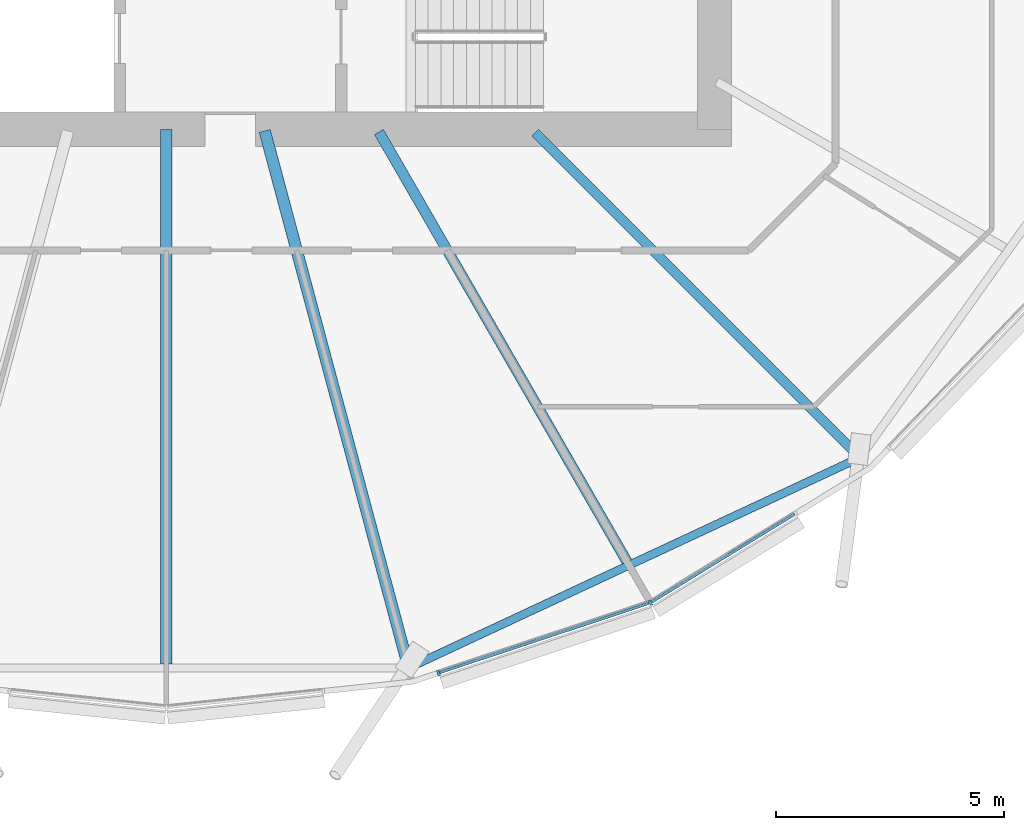
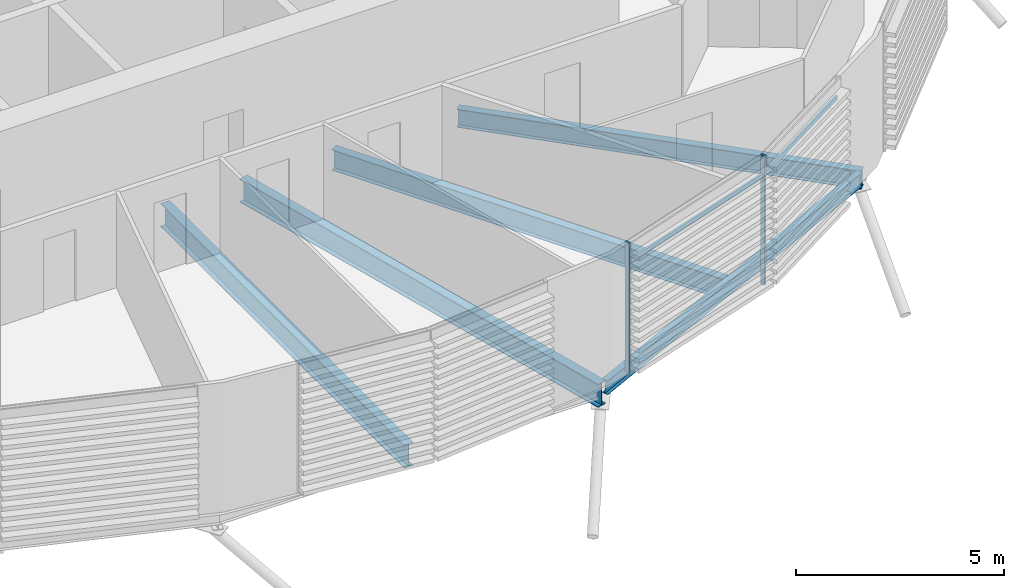
# One storey, part 4 of 38: 5 beams, 4 members, 1 element without a shape of its own.
"""IFC4 building model written with IfcOpenShell, lengths in metres."""

from ifc_helpers import new_model, si_unit, direction, frame, origin, origin_2d, place, context, subcontext, project, spatial, rectangle, i_section, extrude, material, material_profile, profile_set, type_object, element, aggregate, save


model = new_model("IFC4")

# Units and contexts
model_context = context("Model", 3, precision=1e-05, world=origin(), true_north=direction((0.0, 1.0)))
body_context = subcontext(model_context, "Body", "Model", "MODEL_VIEW")
ifc_project = project(units=[si_unit("LENGTHUNIT", "METRE"), si_unit("AREAUNIT", "SQUARE_METRE"), si_unit("VOLUMEUNIT", "CUBIC_METRE"), si_unit("PLANEANGLEUNIT", "RADIAN"), si_unit("MASSUNIT", "GRAM", prefix="KILO")], contexts=[model_context])

# Site, building, storey
site_placement = place(None, origin())
site = spatial("IfcSite", under=ifc_project, at=site_placement, CompositionType="ELEMENT")
building_placement = place(site_placement, origin())
building = spatial("IfcBuilding", under=site, at=building_placement, Name="Rimbun Link Towers", CompositionType="ELEMENT")
storey_placement = place(building_placement, frame((0.0, 0.0, 123.39990234375)))
storey = spatial("IfcBuildingStorey", under=building, at=storey_placement, Name="L30", CompositionType="ELEMENT", Elevation=123.39990234375)

# Curtain wall, members
ifc_material_1 = material(Name="Aluminium 6063-T6 and low-iron glass", Category="aluminium")
curtain_wall_type = type_object("IfcCurtainWallType", Name="CW1-Z2 unitised vision wall (zone 2)", PredefinedType="NOTDEFINED", material=ifc_material_1)
curtain_wall_placement = place(storey_placement, origin())
curtain_wall = element("IfcCurtainWall", 1, at=curtain_wall_placement, inside=storey, type_object=curtain_wall_type, Name="CW1 L30 T1", PredefinedType="NOTDEFINED")
ifc_material_2 = material(Name="Aluminium 6063-T6", Category="aluminium")
ifc_material_profile_1 = material_profile(ifc_material_2, rectangle(XDim=0.1201171875, YDim=0.06005859375, at=origin_2d()), Name="MULLION 60X120")
ifc_profile_set_1 = profile_set([ifc_material_profile_1], Name="Aluminium 6063-T6")
member_type_1 = type_object("IfcMemberType", Name="CW1 mullion 60X120", PredefinedType="MULLION", material=ifc_profile_set_1)
member_1_placement = place(storey_placement, frame((-21.15380859375, -18.364013671875, 0.0), z_axis=(0.0, 0.0, 1.0), x_axis=(0.421704717158, -0.9067332196, 0.0)))
member_1 = element("IfcMember", 2, at=member_1_placement, type_object=member_type_1, Name="CW1 mullion", PredefinedType="MULLION", context=body_context, shape_type="SweptSolid", body=[
    extrude(rectangle(XDim=0.1201171875, YDim=0.06005859375, at=origin_2d()), origin(), (0.0, 0.0, 1.0), 3.800048828125),
])
member_2_placement = place(storey_placement, frame((-25.793701171875, -19.90185546875, 0.0), z_axis=(0.0, 0.0, 1.0), x_axis=(0.314563424855, -0.949236457235, 0.0)))
member_2 = element("IfcMember", 3, at=member_2_placement, type_object=member_type_1, Name="CW1 mullion", PredefinedType="MULLION", context=body_context, shape_type="SweptSolid", body=[
    extrude(rectangle(XDim=0.1201171875, YDim=0.06005859375, at=origin_2d()), origin(), (0.0, 0.0, 1.0), 3.800048828125),
])
ifc_material_3 = material(Name="Aluminium 6063-T6", Category="aluminium")
ifc_material_profile_2 = material_profile(ifc_material_3, rectangle(XDim=0.06005859375, YDim=0.1201171875, at=origin_2d()), Name="TRANSOM 60X120")
ifc_profile_set_2 = profile_set([ifc_material_profile_2], Name="Aluminium 6063-T6")
member_type_2 = type_object("IfcMemberType", Name="CW1 transom 60X120", PredefinedType="USERDEFINED", material=ifc_profile_set_2)
member_3_placement = place(storey_placement, frame((-21.189208984375, -18.3740234375, 3.2001953125), z_axis=(-0.94923382133, -0.314571378933, 0.0), x_axis=(0.314571378933, -0.94923382133, 0.0)))
member_3 = element("IfcMember", 4, at=member_3_placement, type_object=member_type_2, Name="CW1 transom", ObjectType="TRANSOM", PredefinedType="USERDEFINED", context=body_context, shape_type="SweptSolid", body=[
    extrude(rectangle(XDim=0.06005859375, YDim=0.1201171875, at=origin_2d()), origin(), (0.0, 0.0, 1.0), 4.8212890625),
])
member_4_placement = place(storey_placement, frame((-17.998779296875, -16.4248046875, 3.2001953125), z_axis=(-0.852165495326, -0.523272365576, 0.0), x_axis=(0.523272365576, -0.852165495326, 0.0)))
member_4 = element("IfcMember", 5, at=member_4_placement, type_object=member_type_2, Name="CW1 transom", ObjectType="TRANSOM", PredefinedType="USERDEFINED", context=body_context, shape_type="SweptSolid", body=[
    extrude(rectangle(XDim=0.06005859375, YDim=0.1201171875, at=origin_2d()), origin(), (0.0, 0.0, 1.0), 3.666259765625),
])
aggregate(curtain_wall, [member_1, member_2, member_3, member_4])

# Beams
ifc_material_4 = material(Name="Steel S355J2", Category="steel")
ifc_material_profile_3 = material_profile(ifc_material_4, i_section(OverallWidth=0.177978515625, OverallDepth=0.406494140625, WebThickness=0.0078125, FlangeThickness=0.0126953125, at=origin_2d()), Name="UB 406x178x60")
ifc_profile_set_3 = profile_set([ifc_material_profile_3], Name="Steel S355J2")
beam_type_1 = type_object("IfcBeamType", Name="UB 406x178x60", PredefinedType="BEAM", material=ifc_profile_set_3)
beam_1_placement = place(storey_placement, frame((-26.329833984375, -19.734375, -0.363037109375), z_axis=(0.906387823698, 0.422446580116, 0.0), x_axis=(-0.422446580116, 0.906387823698, 0.0)))
element("IfcBeam", 6, at=beam_1_placement, inside=storey, type_object=beam_type_1, Name="Edge beam T1 L30 19-21", PredefinedType="BEAM", context=body_context, shape_type="SweptSolid", body=[
    extrude(i_section(OverallWidth=0.177978515625, OverallDepth=0.406494140625, WebThickness=0.0078125, FlangeThickness=0.0126953125, at=origin_2d()), origin(), (0.0, 0.0, 1.0), 10.65966796875),
])
ifc_material_5 = material(Name="Steel S355J2", Category="steel")
ifc_material_profile_4 = material_profile(ifc_material_5, i_section(OverallWidth=0.209228515625, OverallDepth=0.533203125, WebThickness=0.010009765625, FlangeThickness=0.015625, at=origin_2d()), Name="UB 533x210x92")
ifc_profile_set_4 = profile_set([ifc_material_profile_4], Name="Steel S355J2")
beam_type_2 = type_object("IfcBeamType", Name="UB 533x210x92", PredefinedType="BEAM", material=ifc_profile_set_4)
beam_2_placement = place(storey_placement, frame((-23.67529296875, -8.07470703125, -0.426513671875), z_axis=(0.707106781187, -0.707106781187, 0.0), x_axis=(0.707106781187, 0.707106781187, 0.0)))
element("IfcBeam", 7, at=beam_2_placement, inside=storey, type_object=beam_type_2, Name="Radial beam T1 L30 21", PredefinedType="BEAM", context=body_context, shape_type="SweptSolid", body=[
    extrude(i_section(OverallWidth=0.209228515625, OverallDepth=0.533203125, WebThickness=0.010009765625, FlangeThickness=0.015625, at=origin_2d()), origin(), (0.0, 0.0, 1.0), 10.0537109375),
])
ifc_material_6 = material(Name="Steel S355J2", Category="steel")
ifc_material_profile_5 = material_profile(ifc_material_6, i_section(OverallWidth=0.2275390625, OverallDepth=0.6025390625, WebThickness=0.010498046875, FlangeThickness=0.014892578125, at=origin_2d()), Name="UB 610x229x101")
ifc_profile_set_5 = profile_set([ifc_material_profile_5], Name="Steel S355J2")
beam_type_3 = type_object("IfcBeamType", Name="UB 610x229x101", PredefinedType="BEAM", material=ifc_profile_set_5)
beam_3_placement = place(storey_placement, frame((-27.097900390625, -8.057861328125, -0.461181640625), z_axis=(0.49999814997, -0.866026471897, 0.0), x_axis=(0.866026471897, 0.49999814997, 0.0)))
element("IfcBeam", 8, at=beam_3_placement, inside=storey, type_object=beam_type_3, Name="Radial beam T1 L30 20", PredefinedType="BEAM", context=body_context, shape_type="SweptSolid", body=[
    extrude(i_section(OverallWidth=0.2275390625, OverallDepth=0.6025390625, WebThickness=0.010498046875, FlangeThickness=0.014892578125, at=origin_2d()), origin(), (0.0, 0.0, 1.0), 10.859375),
])
ifc_material_7 = material(Name="Steel S355J2", Category="steel")
ifc_material_profile_6 = material_profile(ifc_material_7, i_section(OverallWidth=0.253662109375, OverallDepth=0.68359375, WebThickness=0.012451171875, FlangeThickness=0.01904296875, at=origin_2d()), Name="UB 686x254x140")
ifc_profile_set_6 = profile_set([ifc_material_profile_6], Name="Steel S355J2")
beam_type_4 = type_object("IfcBeamType", Name="UB 686x254x140", PredefinedType="BEAM", material=ifc_profile_set_6)
beam_4_placement = place(storey_placement, frame((-31.75, -8.0009765625, -0.501708984375), z_axis=(0.0, -1.0, 0.0), x_axis=(1.0, 0.0, 0.0)))
element("IfcBeam", 9, at=beam_4_placement, inside=storey, type_object=beam_type_4, Name="Radial beam T1 L30 18", PredefinedType="BEAM", context=body_context, shape_type="SweptSolid", body=[
    extrude(i_section(OverallWidth=0.253662109375, OverallDepth=0.68359375, WebThickness=0.012451171875, FlangeThickness=0.01904296875, at=origin_2d()), origin(), (0.0, 0.0, 1.0), 11.6982421875),
])
beam_5_placement = place(storey_placement, frame((-29.597412109375, -8.03369140625, -0.501708984375), z_axis=(0.258818641485, -0.965925934438, 0.0), x_axis=(0.965925934438, 0.258818641485, 0.0)))
element("IfcBeam", 10, at=beam_5_placement, inside=storey, type_object=beam_type_4, Name="Radial beam T1 L30 19", PredefinedType="BEAM", context=body_context, shape_type="SweptSolid", body=[
    extrude(i_section(OverallWidth=0.253662109375, OverallDepth=0.68359375, WebThickness=0.012451171875, FlangeThickness=0.01904296875, at=origin_2d()), origin(), (0.0, 0.0, 1.0), 12.17041015625),
])

save(model, "model.ifc")
